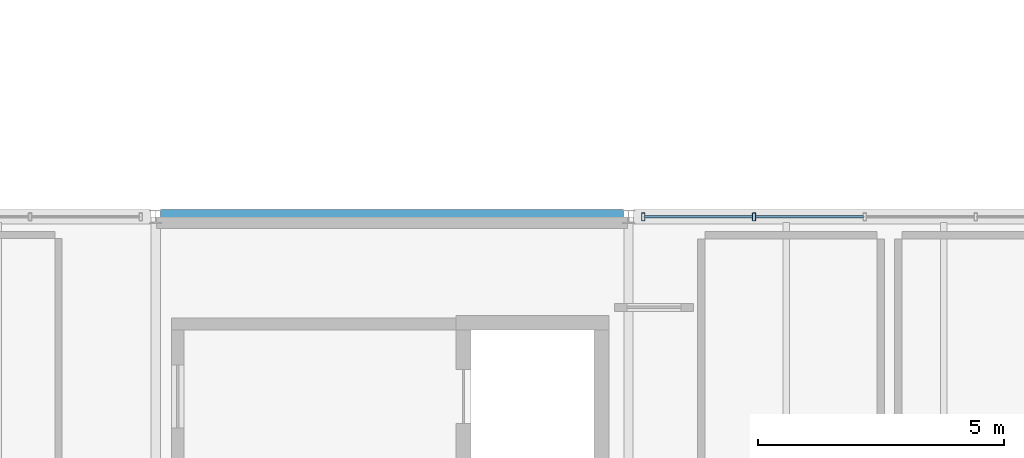
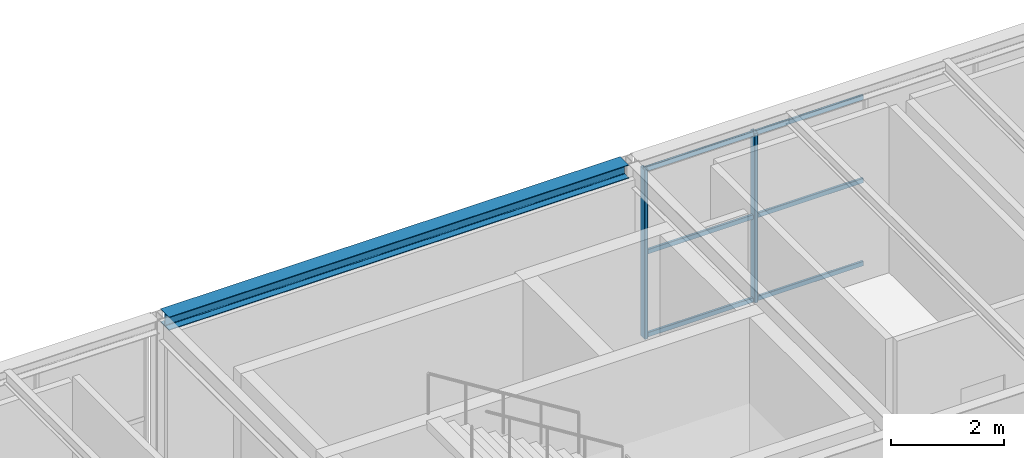
# One storey, part 26 of 39: 8 members, 1 beam, 1 element without a shape of its own.
"""IFC4 building model written with IfcOpenShell, lengths in metres."""

from ifc_helpers import new_model, si_unit, direction, frame, origin, origin_2d, place, context, subcontext, project, spatial, hollow_rectangle, i_section, extrude, material, material_profile, profile_set, type_object, element, aggregate, save


model = new_model("IFC4")

# Units and contexts
model_context = context("Model", 3, precision=1e-05, world=origin(), true_north=direction((0.0, 1.0)))
body_context = subcontext(model_context, "Body", "Model", "MODEL_VIEW")
ifc_project = project(units=[si_unit("LENGTHUNIT", "METRE"), si_unit("AREAUNIT", "SQUARE_METRE"), si_unit("VOLUMEUNIT", "CUBIC_METRE"), si_unit("PLANEANGLEUNIT", "RADIAN"), si_unit("MASSUNIT", "GRAM", prefix="KILO")], contexts=[model_context])

# Site, building, storey
site_placement = place(None, origin())
site = spatial("IfcSite", under=ifc_project, at=site_placement, CompositionType="ELEMENT")
building_placement = place(site_placement, origin())
building = spatial("IfcBuilding", under=site, at=building_placement, Name="Coralgate Yard Interchange", CompositionType="ELEMENT")
storey_placement = place(building_placement, frame((0.0, 0.0, 18.89990234375)))
storey = spatial("IfcBuildingStorey", under=building, at=storey_placement, Name="L04", CompositionType="ELEMENT", Elevation=18.89990234375)

# Beam
ifc_material_1 = material(Name="Structural steel S355J2", Category="steel")
ifc_material_profile_1 = material_profile(ifc_material_1, i_section(OverallWidth=0.300048828125, OverallDepth=0.2900390625, WebThickness=0.008544921875, FlangeThickness=0.013916015625, FilletRadius=0.027099609375, at=origin_2d()), Name="HEA 300")
ifc_profile_set_1 = profile_set([ifc_material_profile_1], Name="Structural steel S355J2")
beam_type = type_object("IfcBeamType", Name="BM-SP-2", PredefinedType="SPANDREL", material=ifc_profile_set_1)
beam_placement = place(storey_placement, frame((48.099365234375, 19.199951171875, 3.80517578125), z_axis=(1.0, 0.0, 0.0), x_axis=(0.0, 1.0, 0.0)))
element("IfcBeam", 1, at=beam_placement, inside=storey, type_object=beam_type, Name="L04 primary grid beam Y2 X5-6", PredefinedType="SPANDREL", context=body_context, shape_type="SweptSolid", body=[
    extrude(i_section(OverallWidth=0.300048828125, OverallDepth=0.2900390625, WebThickness=0.008544921875, FlangeThickness=0.013916015625, FilletRadius=0.027099609375, at=origin_2d()), origin(), (0.0, 0.0, 1.0), 9.401123046875),
])

# Curtain wall, members
ifc_material_2 = material(Name="Anodised coastal aluminium and solar-control low-E glass", Category="aluminium")
curtain_wall_type = type_object("IfcCurtainWallType", Name="CW-CW-L04-A", PredefinedType="NOTDEFINED", material=ifc_material_2)
curtain_wall_placement = place(storey_placement, origin())
curtain_wall = element("IfcCurtainWall", 2, at=curtain_wall_placement, inside=storey, type_object=curtain_wall_type, Name="L04 unitised curtain wall CW-L04-N-06-01", PredefinedType="NOTDEFINED")
ifc_material_3 = material(Name="Anodised coastal aluminium 6063-T6", Category="aluminium")
ifc_material_profile_2 = material_profile(ifc_material_3, hollow_rectangle(XDim=0.06494140625, YDim=0.159912109375, WallThickness=0.00390625, InnerFilletRadius=0.00390625, OuterFilletRadius=0.008056640625, at=origin_2d()), Name="ALU 65x160x4")
ifc_profile_set_2 = profile_set([ifc_material_profile_2], Name="Anodised coastal aluminium 6063-T6")
member_type_1 = type_object("IfcMemberType", Name="MB-MUL-160", PredefinedType="MULLION", material=ifc_profile_set_2)
member_1_placement = place(storey_placement, frame((57.89990234375, 19.199951171875, 0.0), z_axis=(0.0, 0.0, 1.0), x_axis=(1.0, 0.0, 0.0)))
member_1 = element("IfcMember", 3, at=member_1_placement, type_object=member_type_1, Name="CW-L04-N-06-01 vertical mullion 1", PredefinedType="MULLION", context=body_context, shape_type="SweptSolid", body=[
    extrude(hollow_rectangle(XDim=0.06494140625, YDim=0.159912109375, WallThickness=0.00390625, InnerFilletRadius=0.00390625, OuterFilletRadius=0.008056640625, at=origin_2d()), origin(), (0.0, 0.0, 1.0), 3.66015625),
])
member_2_placement = place(storey_placement, frame((60.14990234375, 19.199951171875, 0.0), z_axis=(0.0, 0.0, 1.0), x_axis=(1.0, 0.0, 0.0)))
member_2 = element("IfcMember", 4, at=member_2_placement, type_object=member_type_1, Name="CW-L04-N-06-01 vertical mullion 2", PredefinedType="MULLION", context=body_context, shape_type="SweptSolid", body=[
    extrude(hollow_rectangle(XDim=0.06494140625, YDim=0.159912109375, WallThickness=0.00390625, InnerFilletRadius=0.00390625, OuterFilletRadius=0.008056640625, at=origin_2d()), origin(), (0.0, 0.0, 1.0), 3.66015625),
])
ifc_material_profile_3 = material_profile(ifc_material_3, hollow_rectangle(XDim=0.050048828125, YDim=0.10009765625, WallThickness=0.0029296875, InnerFilletRadius=0.0029296875, OuterFilletRadius=0.006103515625, at=origin_2d()), Name="ALU 50x100x3")
ifc_profile_set_3 = profile_set([ifc_material_profile_3], Name="Anodised coastal aluminium 6063-T6")
member_type_2 = type_object("IfcMemberType", Name="MB-TRN-100", PredefinedType="USERDEFINED", material=ifc_profile_set_3)
member_3_placement = place(storey_placement, frame((57.929931640625, 19.199951171875, 0.03515625), z_axis=(1.0, 0.0, 0.0), x_axis=(0.0, 1.0, 0.0)))
member_3 = element("IfcMember", 5, at=member_3_placement, type_object=member_type_2, Name="CW-L04-N-06-01 horizontal transom 1-1", ObjectType="TRANSOM", PredefinedType="USERDEFINED", context=body_context, shape_type="SweptSolid", body=[
    extrude(hollow_rectangle(XDim=0.050048828125, YDim=0.10009765625, WallThickness=0.0029296875, InnerFilletRadius=0.0029296875, OuterFilletRadius=0.006103515625, at=origin_2d()), origin(), (0.0, 0.0, 1.0), 2.190185546875),
])
member_4_placement = place(storey_placement, frame((57.929931640625, 19.199951171875, 1.830078125), z_axis=(1.0, 0.0, 0.0), x_axis=(0.0, 1.0, 0.0)))
member_4 = element("IfcMember", 6, at=member_4_placement, type_object=member_type_2, Name="CW-L04-N-06-01 horizontal transom 1-2", ObjectType="TRANSOM", PredefinedType="USERDEFINED", context=body_context, shape_type="SweptSolid", body=[
    extrude(hollow_rectangle(XDim=0.050048828125, YDim=0.10009765625, WallThickness=0.0029296875, InnerFilletRadius=0.0029296875, OuterFilletRadius=0.006103515625, at=origin_2d()), origin(), (0.0, 0.0, 1.0), 2.190185546875),
])
member_5_placement = place(storey_placement, frame((57.929931640625, 19.199951171875, 3.625), z_axis=(1.0, 0.0, 0.0), x_axis=(0.0, 1.0, 0.0)))
member_5 = element("IfcMember", 7, at=member_5_placement, type_object=member_type_2, Name="CW-L04-N-06-01 horizontal transom 1-3", ObjectType="TRANSOM", PredefinedType="USERDEFINED", context=body_context, shape_type="SweptSolid", body=[
    extrude(hollow_rectangle(XDim=0.050048828125, YDim=0.10009765625, WallThickness=0.0029296875, InnerFilletRadius=0.0029296875, OuterFilletRadius=0.006103515625, at=origin_2d()), origin(), (0.0, 0.0, 1.0), 2.190185546875),
])
member_6_placement = place(storey_placement, frame((60.179931640625, 19.199951171875, 0.03515625), z_axis=(1.0, 0.0, 0.0), x_axis=(0.0, 1.0, 0.0)))
member_6 = element("IfcMember", 8, at=member_6_placement, type_object=member_type_2, Name="CW-L04-N-06-01 horizontal transom 2-1", ObjectType="TRANSOM", PredefinedType="USERDEFINED", context=body_context, shape_type="SweptSolid", body=[
    extrude(hollow_rectangle(XDim=0.050048828125, YDim=0.10009765625, WallThickness=0.0029296875, InnerFilletRadius=0.0029296875, OuterFilletRadius=0.006103515625, at=origin_2d()), origin(), (0.0, 0.0, 1.0), 2.190185546875),
])
member_7_placement = place(storey_placement, frame((60.179931640625, 19.199951171875, 1.830078125), z_axis=(1.0, 0.0, 0.0), x_axis=(0.0, 1.0, 0.0)))
member_7 = element("IfcMember", 9, at=member_7_placement, type_object=member_type_2, Name="CW-L04-N-06-01 horizontal transom 2-2", ObjectType="TRANSOM", PredefinedType="USERDEFINED", context=body_context, shape_type="SweptSolid", body=[
    extrude(hollow_rectangle(XDim=0.050048828125, YDim=0.10009765625, WallThickness=0.0029296875, InnerFilletRadius=0.0029296875, OuterFilletRadius=0.006103515625, at=origin_2d()), origin(), (0.0, 0.0, 1.0), 2.190185546875),
])
member_8_placement = place(storey_placement, frame((60.179931640625, 19.199951171875, 3.625), z_axis=(1.0, 0.0, 0.0), x_axis=(0.0, 1.0, 0.0)))
member_8 = element("IfcMember", 10, at=member_8_placement, type_object=member_type_2, Name="CW-L04-N-06-01 horizontal transom 2-3", ObjectType="TRANSOM", PredefinedType="USERDEFINED", context=body_context, shape_type="SweptSolid", body=[
    extrude(hollow_rectangle(XDim=0.050048828125, YDim=0.10009765625, WallThickness=0.0029296875, InnerFilletRadius=0.0029296875, OuterFilletRadius=0.006103515625, at=origin_2d()), origin(), (0.0, 0.0, 1.0), 2.190185546875),
])
aggregate(curtain_wall, [member_1, member_2, member_3, member_4, member_5, member_6, member_7, member_8])

save(model, "model.ifc")
